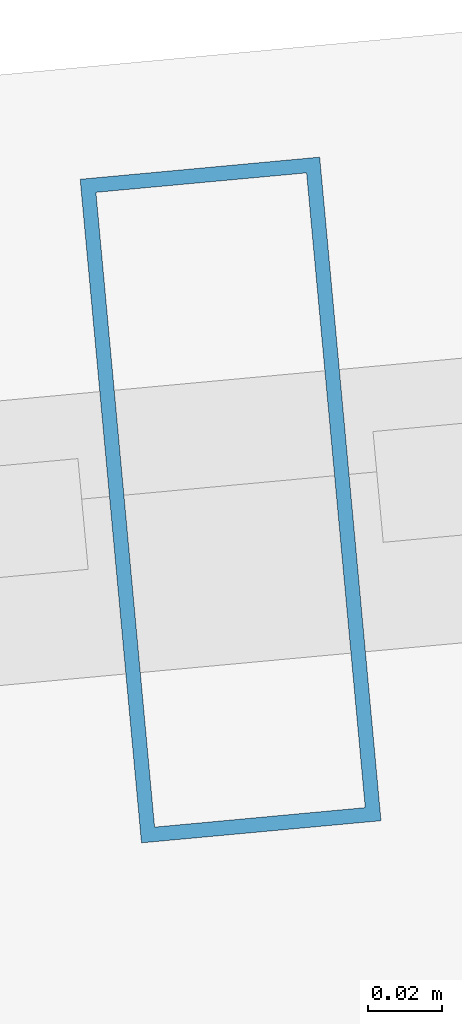
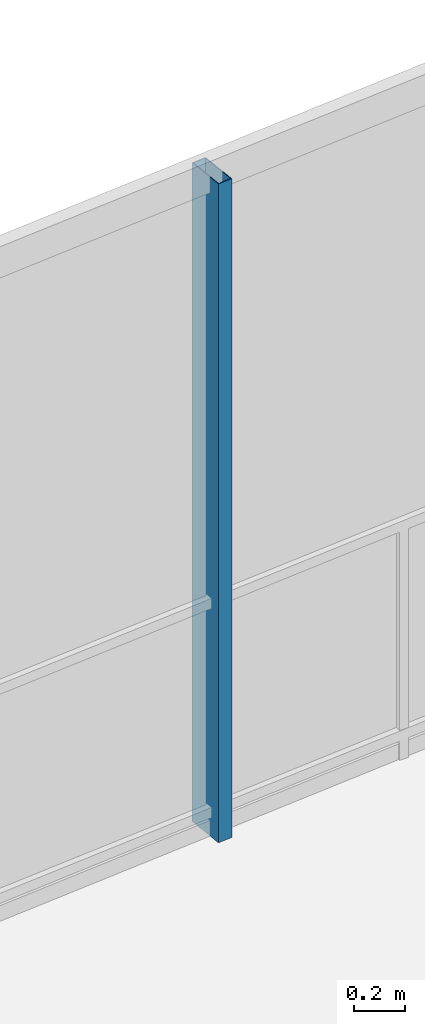
# One storey, part 20 of 30: 1 member, 1 element without a shape of its own.
"""IFC4 building model written with IfcOpenShell, lengths in metres."""

from ifc_helpers import new_model, si_unit, direction, frame, origin, origin_2d, place, context, subcontext, project, spatial, hollow_rectangle, extrude, material, layer, layer_set, material_profile, profile_set, type_object, element, aggregate, save


model = new_model("IFC4")

# Units and contexts
model_context = context("Model", 3, precision=1e-05, world=origin(), true_north=direction((0.0, 1.0)))
body_context = subcontext(model_context, "Body", "Model", "MODEL_VIEW")
ifc_project = project(units=[si_unit("LENGTHUNIT", "METRE"), si_unit("AREAUNIT", "SQUARE_METRE"), si_unit("VOLUMEUNIT", "CUBIC_METRE"), si_unit("PLANEANGLEUNIT", "RADIAN"), si_unit("MASSUNIT", "GRAM", prefix="KILO")], contexts=[model_context])

# Site, building, storey
site_placement = place(None, origin())
site = spatial("IfcSite", under=ifc_project, at=site_placement, CompositionType="ELEMENT")
building_placement = place(site_placement, origin())
building = spatial("IfcBuilding", under=site, at=building_placement, Name="Qarnah Convention Tower", CompositionType="ELEMENT")
storey_placement = place(building_placement, frame((0.0, 0.0, 86.699951171875)))
storey = spatial("IfcBuildingStorey", under=building, at=storey_placement, Name="L22", CompositionType="ELEMENT", Elevation=86.699951171875)

# Curtain wall, member
ifc_material_1 = material(Name="Tempered Low-E dark glass", Category="glass")
ifc_layer = layer(ifc_material_1, 0.169921875)
ifc_layer_set = layer_set([ifc_layer], Name="Tempered Low-E dark glass")
curtain_wall_type = type_object("IfcCurtainWallType", Name="CWS-02", PredefinedType="NOTDEFINED", material=ifc_layer_set)
curtain_wall_placement = place(storey_placement, origin())
curtain_wall = element("IfcCurtainWall", 1, at=curtain_wall_placement, inside=storey, type_object=curtain_wall_type, Name="L22 unitised curtain wall CW-L22-F1", PredefinedType="NOTDEFINED")
ifc_material_2 = material(Name="Black anodised aluminium", Category="aluminium")
ifc_material_profile = material_profile(ifc_material_2, hollow_rectangle(XDim=0.06494140625, YDim=0.179931640625, WallThickness=0.00390625, at=origin_2d()), Name="MUL-65X180")
ifc_profile_set = profile_set([ifc_material_profile], Name="Black anodised aluminium")
member_type = type_object("IfcMemberType", Name="MUL-T2", PredefinedType="MULLION", material=ifc_profile_set)
member_placement = place(storey_placement, frame((39.77783203125, 44.362060546875, 0.0), z_axis=(0.0, 0.0, 1.0), x_axis=(0.995756103548, 0.092031419885, 0.0)))
member = element("IfcMember", 2, at=member_placement, type_object=member_type, Name="CW-L22-F1 mullion 4", PredefinedType="MULLION", context=body_context, shape_type="SweptSolid", body=[
    extrude(hollow_rectangle(XDim=0.06494140625, YDim=0.179931640625, WallThickness=0.00390625, at=origin_2d()), origin(), (0.0, 0.0, 1.0), 3.170166015625),
])
aggregate(curtain_wall, [member])

save(model, "model.ifc")
